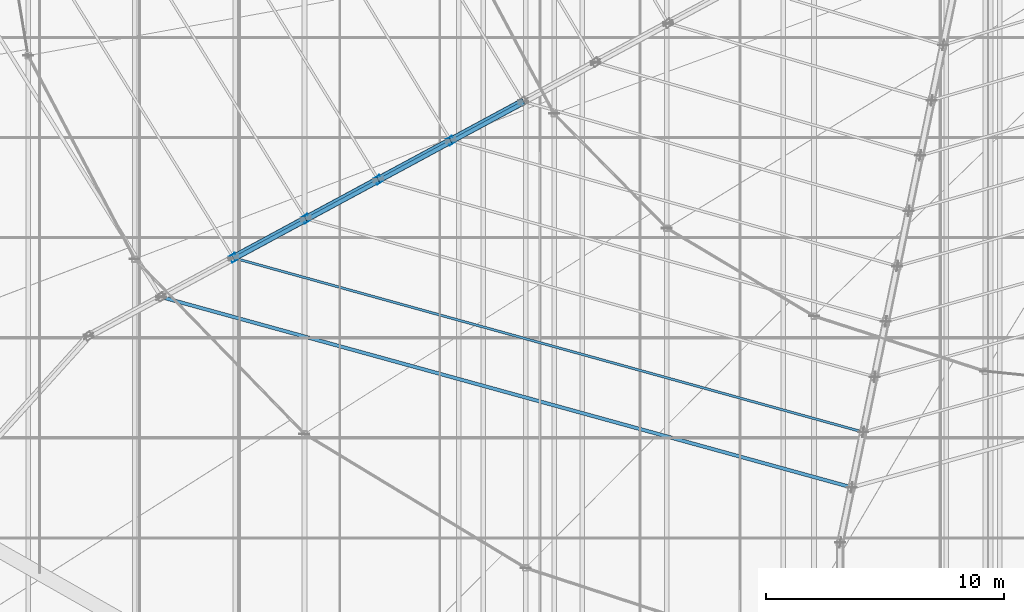
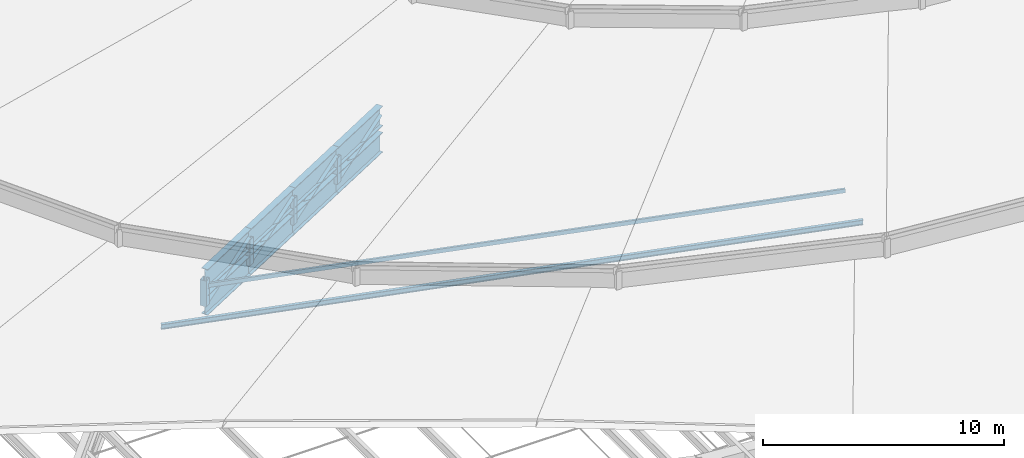
# One storey, part 10 of 184: 10 members, 8 beams.
"""IFC4 building model written with IfcOpenShell, lengths in metres."""

from ifc_helpers import new_model, si_unit, direction, frame, origin, origin_2d, place, context, subcontext, project, spatial, hollow_rectangle, i_section, extrude, material, material_profile, profile_set, type_object, element, save


model = new_model("IFC4")

# Units and contexts
model_context = context("Model", 3, precision=1e-05, world=origin(), true_north=direction((0.0, 1.0)))
body_context = subcontext(model_context, "Body", "Model", "MODEL_VIEW")
ifc_project = project(units=[si_unit("LENGTHUNIT", "METRE"), si_unit("AREAUNIT", "SQUARE_METRE"), si_unit("VOLUMEUNIT", "CUBIC_METRE"), si_unit("PLANEANGLEUNIT", "RADIAN"), si_unit("MASSUNIT", "GRAM", prefix="KILO")], contexts=[model_context])

# Site, building, storey
site_placement = place(None, origin())
site = spatial("IfcSite", under=ifc_project, at=site_placement, CompositionType="ELEMENT")
building_placement = place(site_placement, origin())
building = spatial("IfcBuilding", under=site, at=building_placement, Name="Kalgoora Escarpment Arena", CompositionType="ELEMENT")
storey_placement = place(building_placement, frame((0.0, 0.0, 27.60009765625)))
storey = spatial("IfcBuildingStorey", under=building, at=storey_placement, Name="Roof Level", CompositionType="ELEMENT", Elevation=27.60009765625)

# Beams
ifc_material_1 = material(Name="Structural steel Grade 350 (350 MPa)", Category="steel")
ifc_material_profile_1 = material_profile(ifc_material_1, i_section(OverallWidth=0.300048828125, OverallDepth=1.010009765625, WebThickness=0.01611328125, FlangeThickness=0.030029296875, at=origin_2d()))
ifc_profile_set_1 = profile_set([ifc_material_profile_1], Name="Structural steel Grade 350 (350 MPa)")
beam_type = type_object("IfcBeamType", Name="BM-TRUSS-CHORD", PredefinedType="USERDEFINED", material=ifc_profile_set_1)
for number, where, z_axis, x_axis, name in (
    (1, (66.931884765625, 46.344970703125, -1.64013671875), (0.880037048235, 0.474902749111, 0.001473981338), (-0.474903265004, 0.88003800423, 0.0), "Radial ROOF TRUSS spine 6 bottom chord 4"),
    (2, (66.931884765625, 46.344970703125, -0.330078125), (0.880034360193, 0.474901298538, 0.002877764298), (-0.474903265004, 0.88003800423, 0.0), "Radial ROOF TRUSS spine 6 top chord 4"),
):
    element("IfcBeam", number, at=place(storey_placement, frame(where, z_axis=z_axis, x_axis=x_axis)), inside=storey, type_object=beam_type, Name=name, ObjectType="GIRDER", PredefinedType="USERDEFINED", context=body_context, shape_type="SweptSolid", body=[
        extrude(i_section(OverallWidth=0.300048828125, OverallDepth=1.010009765625, WebThickness=0.01611328125, FlangeThickness=0.030029296875, at=origin_2d()), origin(), (0.0, 0.0, 1.0), 3.478271484375),
    ])
for number, where, z_axis, x_axis, name in (
    (3, (69.9716796875, 47.9853515625, -1.635009765625), (0.880021305462, 0.474932133107, 0.001403878608), (-0.474932601123, 0.88002217267, 0.0), "Radial ROOF TRUSS spine 6 bottom chord 5"),
    (4, (69.9716796875, 47.9853515625, -0.320068359375), (0.880018528248, 0.474930634293, 0.002877942064), (-0.474932601123, 0.88002217267, 0.0), "Radial ROOF TRUSS spine 6 top chord 5"),
):
    element("IfcBeam", number, at=place(storey_placement, frame(where, z_axis=z_axis, x_axis=x_axis)), inside=storey, type_object=beam_type, Name=name, ObjectType="GIRDER", PredefinedType="USERDEFINED", context=body_context, shape_type="SweptSolid", body=[
        extrude(i_section(OverallWidth=0.300048828125, OverallDepth=1.010009765625, WebThickness=0.01611328125, FlangeThickness=0.030029296875, at=origin_2d()), origin(), (0.0, 0.0, 1.0), 3.47802734375),
    ])
for number, where, z_axis, x_axis, name in (
    (5, (73.01123046875, 49.6259765625, -1.630126953125), (0.880037048235, 0.474902749111, 0.001473981338), (-0.474903265004, 0.88003800423, 0.0), "Radial ROOF TRUSS spine 6 bottom chord 6"),
    (6, (73.01123046875, 49.6259765625, -0.31005859375), (0.880034360193, 0.474901298538, 0.002877764298), (-0.474903265004, 0.88003800423, 0.0), "Radial ROOF TRUSS spine 6 top chord 6"),
    (7, (76.051025390625, 51.266357421875, -1.625), (0.880037137114, 0.474902797074, 0.001403791892), (-0.474903265004, 0.88003800423, 0.0), "Radial ROOF TRUSS spine 6 bottom chord 7"),
    (8, (76.051025390625, 51.266357421875, -0.300048828125), (0.880034360193, 0.474901298538, 0.002877764298), (-0.474903265004, 0.88003800423, 0.0), "Radial ROOF TRUSS spine 6 top chord 7"),
):
    element("IfcBeam", number, at=place(storey_placement, frame(where, z_axis=z_axis, x_axis=x_axis)), inside=storey, type_object=beam_type, Name=name, ObjectType="GIRDER", PredefinedType="USERDEFINED", context=body_context, shape_type="SweptSolid", body=[
        extrude(i_section(OverallWidth=0.300048828125, OverallDepth=1.010009765625, WebThickness=0.01611328125, FlangeThickness=0.030029296875, at=origin_2d()), origin(), (0.0, 0.0, 1.0), 3.478271484375),
    ])

# Members
ifc_material_2 = material(Name="Structural steel C350 (350 MPa)", Category="steel")
ifc_material_profile_2 = material_profile(ifc_material_2, hollow_rectangle(XDim=0.10009765625, YDim=0.199951171875, WallThickness=0.009033203125, at=origin_2d()))
ifc_profile_set_2 = profile_set([ifc_material_profile_2], Name="Structural steel C350 (350 MPa)")
member_type_1 = type_object("IfcMemberType", Name="MEM-PURLIN-RHS", PredefinedType="PURLIN", material=ifc_profile_set_2)
member_1_placement = place(storey_placement, frame((66.9423828125, 46.3505859375, -0.68017578125), z_axis=(0.963778148735, -0.266705230583, 0.0), x_axis=(0.266705230583, 0.963778148735, 0.0)))
element("IfcMember", 9, at=member_1_placement, inside=storey, type_object=member_type_1, Name="Roof circumferential purlin ring 3 sector 6", PredefinedType="PURLIN", context=body_context, shape_type="SweptSolid", body=[
    extrude(hollow_rectangle(XDim=0.10009765625, YDim=0.199951171875, WallThickness=0.009033203125, at=origin_2d()), origin(), (0.0, 0.0, 1.0), 27.41064453125),
])
ifc_material_3 = material(Name="Structural steel AS/NZS 3679 (300 MPa)", Category="steel")
ifc_material_profile_3 = material_profile(ifc_material_3, i_section(OverallWidth=0.14599609375, OverallDepth=0.256103515625, WebThickness=0.00634765625, FlangeThickness=0.010986328125, at=origin_2d()))
ifc_profile_set_3 = profile_set([ifc_material_profile_3], Name="Structural steel AS/NZS 3679 (300 MPa)")
member_type_2 = type_object("IfcMemberType", Name="MEM-PURLIN-UB", PredefinedType="PURLIN", material=ifc_profile_set_3)
member_2_placement = place(storey_placement, frame((63.902587890625, 44.710205078125, -0.690185546875), z_axis=(0.964022479986, -0.265820725455, 0.0), x_axis=(0.265820725455, 0.964022479986, 0.0)))
element("IfcMember", 10, at=member_2_placement, inside=storey, type_object=member_type_2, Name="Roof circumferential purlin ring 2 sector 6", PredefinedType="PURLIN", context=body_context, shape_type="SweptSolid", body=[
    extrude(i_section(OverallWidth=0.14599609375, OverallDepth=0.256103515625, WebThickness=0.00634765625, FlangeThickness=0.010986328125, at=origin_2d()), origin(), (0.0, 0.0, 1.0), 30.058837890625),
])
ifc_material_4 = material(Name="Structural steel C350 (350 MPa)", Category="steel")
ifc_material_profile_4 = material_profile(ifc_material_4, hollow_rectangle(XDim=0.199951171875, YDim=0.199951171875, WallThickness=0.009033203125, at=origin_2d()))
ifc_profile_set_4 = profile_set([ifc_material_profile_4], Name="Structural steel C350 (350 MPa)")
member_type_3 = type_object("IfcMemberType", Name="MEM-TRUSS-DIAG", PredefinedType="BRACE", material=ifc_profile_set_4)
member_3_placement = place(storey_placement, frame((66.9423828125, 46.3505859375, -1.64013671875), z_axis=(0.822029158778, 0.44366203092, 0.356976279938), x_axis=(-0.569388317253, 0.649264907568, 0.504234096404)))
element("IfcMember", 11, at=member_3_placement, inside=storey, type_object=member_type_3, Name="Radial ROOF TRUSS spine 6 web diagonal 4", PredefinedType="BRACE", context=body_context, shape_type="SweptSolid", body=[
    extrude(hollow_rectangle(XDim=0.199951171875, YDim=0.199951171875, WallThickness=0.009033203125, at=origin_2d()), origin(), (0.0, 0.0, 1.0), 3.697998046875),
])
member_4_placement = place(storey_placement, frame((69.982177734375, 47.9912109375, -1.635009765625), z_axis=(0.821665288908, 0.443399652732, 0.358138103197), x_axis=(-0.569899850666, 0.649002487212, 0.503993979928)))
element("IfcMember", 12, at=member_4_placement, inside=storey, type_object=member_type_3, Name="Radial ROOF TRUSS spine 6 web diagonal 5", PredefinedType="BRACE", context=body_context, shape_type="SweptSolid", body=[
    extrude(hollow_rectangle(XDim=0.199951171875, YDim=0.199951171875, WallThickness=0.009033203125, at=origin_2d()), origin(), (0.0, 0.0, 1.0), 3.699462890625),
])
member_5_placement = place(storey_placement, frame((73.02197265625, 49.631591796875, -1.630126953125), z_axis=(0.821232989187, 0.443232325703, 0.359334778338), x_axis=(-0.570508672541, 0.648660234246, 0.503745724611)))
element("IfcMember", 13, at=member_5_placement, inside=storey, type_object=member_type_3, Name="Radial ROOF TRUSS spine 6 web diagonal 6", PredefinedType="BRACE", context=body_context, shape_type="SweptSolid", body=[
    extrude(hollow_rectangle(XDim=0.199951171875, YDim=0.199951171875, WallThickness=0.009033203125, at=origin_2d()), origin(), (0.0, 0.0, 1.0), 3.701416015625),
])
member_6_placement = place(storey_placement, frame((76.061767578125, 51.272216796875, -1.625), z_axis=(0.820845743537, 0.44299297597, 0.360512813306), x_axis=(-0.571049709917, 0.648374558963, 0.503500407241)))
element("IfcMember", 14, at=member_6_placement, inside=storey, type_object=member_type_3, Name="Radial ROOF TRUSS spine 6 web diagonal 7", PredefinedType="BRACE", context=body_context, shape_type="SweptSolid", body=[
    extrude(hollow_rectangle(XDim=0.199951171875, YDim=0.199951171875, WallThickness=0.009033203125, at=origin_2d()), origin(), (0.0, 0.0, 1.0), 3.702880859375),
])
ifc_material_5 = material(Name="Structural steel C450 (450 MPa)", Category="steel")
ifc_material_profile_5 = material_profile(ifc_material_5, hollow_rectangle(XDim=0.300048828125, YDim=0.300048828125, WallThickness=0.012451171875, at=origin_2d()))
ifc_profile_set_5 = profile_set([ifc_material_profile_5], Name="Structural steel C450 (450 MPa)")
member_type_4 = type_object("IfcMemberType", Name="MEM-TRUSS-POST", PredefinedType="POST", material=ifc_profile_set_5)
member_7_placement = place(storey_placement, frame((66.9423828125, 46.3505859375, -1.64013671875), z_axis=(0.0, 0.0, 1.0), x_axis=(0.84179353575, 0.539799632428, 0.0)))
element("IfcMember", 15, at=member_7_placement, inside=storey, type_object=member_type_4, Name="Radial ROOF TRUSS spine 6 post 3", PredefinedType="POST", context=body_context, shape_type="SweptSolid", body=[
    extrude(hollow_rectangle(XDim=0.300048828125, YDim=0.300048828125, WallThickness=0.012451171875, at=origin_2d()), origin(), (0.0, 0.0, 1.0), 1.31005859375),
])
member_8_placement = place(storey_placement, frame((69.982177734375, 47.9912109375, -1.635009765625), z_axis=(0.0, 0.0, 1.0), x_axis=(0.84179353575, 0.539799632428, 0.0)))
element("IfcMember", 16, at=member_8_placement, inside=storey, type_object=member_type_4, Name="Radial ROOF TRUSS spine 6 post 4", PredefinedType="POST", context=body_context, shape_type="SweptSolid", body=[
    extrude(hollow_rectangle(XDim=0.300048828125, YDim=0.300048828125, WallThickness=0.012451171875, at=origin_2d()), origin(), (0.0, 0.0, 1.0), 1.31494140625),
])
member_9_placement = place(storey_placement, frame((73.02197265625, 49.631591796875, -1.630126953125), z_axis=(0.0, 0.0, 1.0), x_axis=(0.84179353575, 0.539799632428, 0.0)))
element("IfcMember", 17, at=member_9_placement, inside=storey, type_object=member_type_4, Name="Radial ROOF TRUSS spine 6 post 5", PredefinedType="POST", context=body_context, shape_type="SweptSolid", body=[
    extrude(hollow_rectangle(XDim=0.300048828125, YDim=0.300048828125, WallThickness=0.012451171875, at=origin_2d()), origin(), (0.0, 0.0, 1.0), 1.320068359375),
])
member_10_placement = place(storey_placement, frame((76.061767578125, 51.272216796875, -1.625), z_axis=(0.0, 0.0, 1.0), x_axis=(0.84179353575, 0.539799632428, 0.0)))
element("IfcMember", 18, at=member_10_placement, inside=storey, type_object=member_type_4, Name="Radial ROOF TRUSS spine 6 post 6", PredefinedType="POST", context=body_context, shape_type="SweptSolid", body=[
    extrude(hollow_rectangle(XDim=0.300048828125, YDim=0.300048828125, WallThickness=0.012451171875, at=origin_2d()), origin(), (0.0, 0.0, 1.0), 1.324951171875),
])

save(model, "model.ifc")
